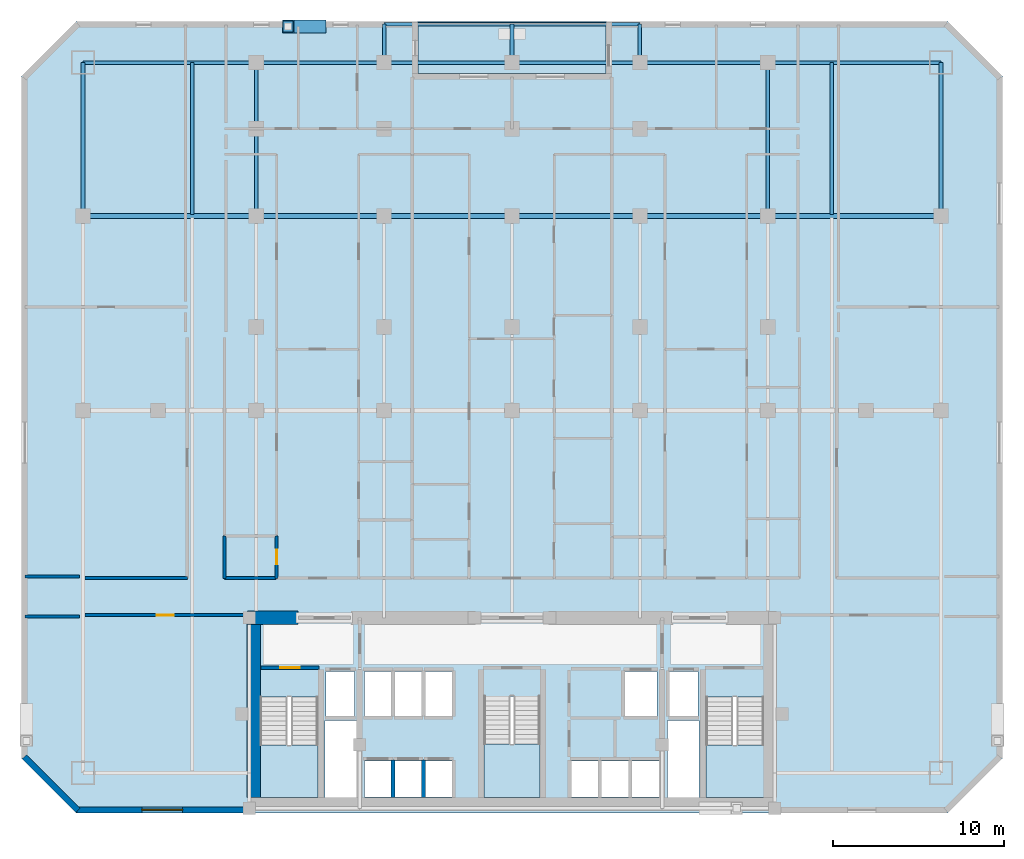
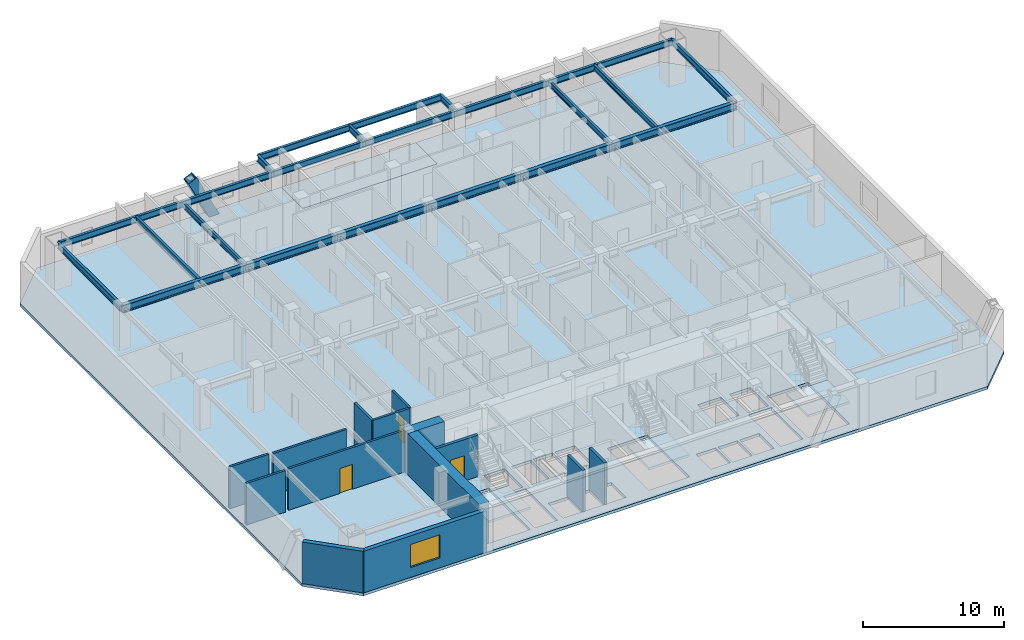
# One storey, part 2 of 9: 23 beams, 14 walls, 5 slabs, 3 doors, 1 member, 1 window, 4 openings, 3 elements without a shape of their own.
"""IFC4 building model written with IfcOpenShell, lengths in metres."""

from ifc_helpers import new_model, si_unit, direction, frame, frame_2d, origin, origin_2d, place, context, subcontext, project, spatial, polyline, rectangle, hollow_rectangle, i_section, outline, extrude, material, layer, layer_set, material_profile, profile_set, type_object, element, fill, aggregate, save


model = new_model("IFC4")

# Units and contexts
model_context = context("Model", 3, precision=1e-05, world=origin(), true_north=direction((0.0, 1.0)))
body_context = subcontext(model_context, "Body", "Model", "MODEL_VIEW")
ifc_project = project(units=[si_unit("LENGTHUNIT", "METRE"), si_unit("AREAUNIT", "SQUARE_METRE"), si_unit("VOLUMEUNIT", "CUBIC_METRE"), si_unit("PLANEANGLEUNIT", "RADIAN"), si_unit("MASSUNIT", "GRAM", prefix="KILO")], contexts=[model_context])

# Site, building, storey
site_placement = place(None, origin())
site = spatial("IfcSite", under=ifc_project, at=site_placement, CompositionType="ELEMENT")
building_placement = place(site_placement, origin())
building = spatial("IfcBuilding", under=site, at=building_placement, Name="Ventersveld Concourse Tower", CompositionType="ELEMENT")
storey_placement = place(building_placement, frame((0.0, 0.0, 52.89990234375)))
storey = spatial("IfcBuildingStorey", under=building, at=storey_placement, Name="L12", CompositionType="ELEMENT", Elevation=52.89990234375)

# Beams
ifc_material_1 = material(Name="Structural steel S355J2", Category="steel")
ifc_material_profile_1 = material_profile(ifc_material_1, i_section(OverallWidth=0.19140625, OverallDepth=0.4599609375, WebThickness=0.010009765625, FlangeThickness=0.01611328125, FilletRadius=0.01025390625, at=origin_2d()), Name="UB 457x191x82")
ifc_profile_set_1 = profile_set([ifc_material_profile_1], Name="Structural steel S355J2")
beam_type_1 = type_object("IfcBeamType", Name="BM-UB457H", PredefinedType="BEAM", material=ifc_profile_set_1)
beam_1_placement = place(storey_placement, frame((10.0, 35.094970703125, 3.3701171875), z_axis=(0.0, 1.0, 0.0), x_axis=(-1.0, 0.0, 0.0)))
element("IfcBeam", 1, at=beam_1_placement, inside=storey, type_object=beam_type_1, Name="L12 N-S Composite Floor Beam North X=10.00", PredefinedType="BEAM", context=body_context, shape_type="SweptSolid", body=[
    extrude(i_section(OverallWidth=0.19140625, OverallDepth=0.4599609375, WebThickness=0.010009765625, FlangeThickness=0.01611328125, FilletRadius=0.01025390625, at=origin_2d()), origin(), (0.0, 0.0, 1.0), 8.905029296875),
])
for number, where, z_axis, x_axis, name in (
    (2, (13.75, 35.0, 3.3701171875), (0.0, 1.0, 0.0), (-1.0, 0.0, 0.0), "L12 N-S Composite Floor Beam North X=13.75"),
    (3, (43.75, 35.0, 3.3701171875), (0.0, 1.0, 0.0), (-1.0, 0.0, 0.0), "L12 N-S Composite Floor Beam North X=43.75"),
):
    element("IfcBeam", number, at=place(storey_placement, frame(where, z_axis=z_axis, x_axis=x_axis)), inside=storey, type_object=beam_type_1, Name=name, PredefinedType="BEAM", context=body_context, shape_type="SweptSolid", body=[
        extrude(i_section(OverallWidth=0.19140625, OverallDepth=0.4599609375, WebThickness=0.010009765625, FlangeThickness=0.01611328125, FilletRadius=0.01025390625, at=origin_2d()), origin(), (0.0, 0.0, 1.0), 9.0),
    ])
beam_2_placement = place(storey_placement, frame((47.5, 35.094970703125, 3.3701171875), z_axis=(0.0, 1.0, 0.0), x_axis=(-1.0, 0.0, 0.0)))
element("IfcBeam", 4, at=beam_2_placement, inside=storey, type_object=beam_type_1, Name="L12 N-S Composite Floor Beam North X=47.50", PredefinedType="BEAM", context=body_context, shape_type="SweptSolid", body=[
    extrude(i_section(OverallWidth=0.19140625, OverallDepth=0.4599609375, WebThickness=0.010009765625, FlangeThickness=0.01611328125, FilletRadius=0.01025390625, at=origin_2d()), origin(), (0.0, 0.0, 1.0), 8.905029296875),
])
ifc_material_profile_2 = material_profile(ifc_material_1, i_section(OverallWidth=0.311279296875, OverallDepth=0.6357421875, WebThickness=0.018310546875, FlangeThickness=0.031494140625, FilletRadius=0.0166015625, at=origin_2d()), Name="UB 610x305x238")
ifc_profile_set_2 = profile_set([ifc_material_profile_2], Name="Structural steel S355J2")
beam_type_2 = type_object("IfcBeamType", Name="GRD-UB610H", PredefinedType="USERDEFINED", material=ifc_profile_set_2)
beam_3_placement = place(storey_placement, frame((3.60009765625, 35.0, 3.2822265625), z_axis=(1.0, 0.0, 0.0), x_axis=(0.0, 1.0, 0.0)))
element("IfcBeam", 5, at=beam_3_placement, inside=storey, type_object=beam_type_2, Name="L12 E-W Grid Girder Y=35.00 #1", ObjectType="GIRDER", PredefinedType="USERDEFINED", context=body_context, shape_type="SweptSolid", body=[
    extrude(i_section(OverallWidth=0.311279296875, OverallDepth=0.6357421875, WebThickness=0.018310546875, FlangeThickness=0.031494140625, FilletRadius=0.0166015625, at=origin_2d()), origin(), (0.0, 0.0, 1.0), 10.14990234375),
])
for number, where, z_axis, x_axis, name in (
    (6, (13.75, 35.0, 3.2822265625), (1.0, 0.0, 0.0), (0.0, 1.0, 0.0), "L12 E-W Grid Girder Y=35.00 #2"),
    (7, (21.25, 35.0, 3.2822265625), (1.0, 0.0, 0.0), (0.0, 1.0, 0.0), "L12 E-W Grid Girder Y=35.00 #3"),
    (8, (28.75, 35.0, 3.2822265625), (1.0, 0.0, 0.0), (0.0, 1.0, 0.0), "L12 E-W Grid Girder Y=35.00 #4"),
    (9, (36.25, 35.0, 3.2822265625), (1.0, 0.0, 0.0), (0.0, 1.0, 0.0), "L12 E-W Grid Girder Y=35.00 #5"),
):
    element("IfcBeam", number, at=place(storey_placement, frame(where, z_axis=z_axis, x_axis=x_axis)), inside=storey, type_object=beam_type_2, Name=name, ObjectType="GIRDER", PredefinedType="USERDEFINED", context=body_context, shape_type="SweptSolid", body=[
        extrude(i_section(OverallWidth=0.311279296875, OverallDepth=0.6357421875, WebThickness=0.018310546875, FlangeThickness=0.031494140625, FilletRadius=0.0166015625, at=origin_2d()), origin(), (0.0, 0.0, 1.0), 7.5),
    ])
beam_4_placement = place(storey_placement, frame((43.75, 35.0, 3.2822265625), z_axis=(1.0, 0.0, 0.0), x_axis=(0.0, 1.0, 0.0)))
element("IfcBeam", 10, at=beam_4_placement, inside=storey, type_object=beam_type_2, Name="L12 E-W Grid Girder Y=35.00 #6", ObjectType="GIRDER", PredefinedType="USERDEFINED", context=body_context, shape_type="SweptSolid", body=[
    extrude(i_section(OverallWidth=0.311279296875, OverallDepth=0.6357421875, WebThickness=0.018310546875, FlangeThickness=0.031494140625, FilletRadius=0.0166015625, at=origin_2d()), origin(), (0.0, 0.0, 1.0), 10.14990234375),
])

# Member
ifc_material_2 = material(Name="Structural steel S355ML", Category="steel")
ifc_material_profile_3 = material_profile(ifc_material_2, hollow_rectangle(XDim=0.75, YDim=0.75, WallThickness=0.044921875, at=origin_2d()), Name="BOX 750x750x45")
ifc_profile_set_3 = profile_set([ifc_material_profile_3], Name="Structural steel S355ML")
member_type = type_object("IfcMemberType", Name="MB-750x750", PredefinedType="BRACE", material=ifc_profile_set_3)
member_placement = place(storey_placement, frame((17.5, 46.1201171875, -0.25), z_axis=(-0.437839464193, 0.0, 0.899053170616), x_axis=(0.0, -1.0, 0.0)))
element("IfcMember", 11, at=member_placement, inside=storey, type_object=member_type, Name="L12 Exterior Mega-Brace N (Module M02)", PredefinedType="BRACE", context=body_context, shape_type="SweptSolid", body=[
    extrude(hollow_rectangle(XDim=0.75, YDim=0.75, WallThickness=0.044921875, at=origin_2d()), origin(), (0.0, 0.0, 1.0), 4.282470703125),
])

# Beams
ifc_material_profile_4 = material_profile(ifc_material_1, i_section(OverallWidth=0.2119140625, OverallDepth=0.54443359375, WebThickness=0.0126953125, FlangeThickness=0.021240234375, FilletRadius=0.0126953125, at=origin_2d()), Name="UB 533x210x122")
ifc_profile_set_4 = profile_set([ifc_material_profile_4], Name="Structural steel S355J2")
beam_type_3 = type_object("IfcBeamType", Name="SPD-UB533", PredefinedType="SPANDREL", material=ifc_profile_set_4)
for number, where, z_axis, x_axis, name in (
    (12, (3.60009765625, 35.0, 3.327880859375), (0.0, 1.0, 0.0), (-1.0, 0.0, 0.0), "L12 West Spandrel Beam N"),
    (13, (53.89990234375, 35.0, 3.327880859375), (0.0, 1.0, 0.0), (-1.0, 0.0, 0.0), "L12 East Spandrel Beam N"),
):
    element("IfcBeam", number, at=place(storey_placement, frame(where, z_axis=z_axis, x_axis=x_axis)), inside=storey, type_object=beam_type_3, Name=name, PredefinedType="SPANDREL", context=body_context, shape_type="SweptSolid", body=[
        extrude(i_section(OverallWidth=0.2119140625, OverallDepth=0.54443359375, WebThickness=0.0126953125, FlangeThickness=0.021240234375, FilletRadius=0.0126953125, at=origin_2d()), origin(), (0.0, 0.0, 1.0), 9.0),
    ])
for number, where, z_axis, x_axis, name in (
    (14, (21.25, 44.0, 3.327880859375), (0.0, 1.0, 0.0), (-1.0, 0.0, 0.0), "L12 Terrace Bracket W"),
    (15, (28.75, 44.0, 3.327880859375), (0.0, 1.0, 0.0), (-1.0, 0.0, 0.0), "L12 Terrace Bracket C"),
    (16, (36.25, 44.0, 3.327880859375), (0.0, 1.0, 0.0), (-1.0, 0.0, 0.0), "L12 Terrace Bracket E"),
):
    element("IfcBeam", number, at=place(storey_placement, frame(where, z_axis=z_axis, x_axis=x_axis)), inside=storey, type_object=beam_type_3, Name=name, PredefinedType="SPANDREL", context=body_context, shape_type="SweptSolid", body=[
        extrude(i_section(OverallWidth=0.2119140625, OverallDepth=0.54443359375, WebThickness=0.0126953125, FlangeThickness=0.021240234375, FilletRadius=0.0126953125, at=origin_2d()), origin(), (0.0, 0.0, 1.0), 2.25),
    ])
for number, where, z_axis, x_axis, name in (
    (17, (21.25, 46.25, 3.327880859375), (1.0, 0.0, 0.0), (0.0, 1.0, 0.0), "L12 Terrace Edge Spandrel W"),
    (18, (28.75, 46.25, 3.327880859375), (1.0, 0.0, 0.0), (0.0, 1.0, 0.0), "L12 Terrace Edge Spandrel E"),
):
    element("IfcBeam", number, at=place(storey_placement, frame(where, z_axis=z_axis, x_axis=x_axis)), inside=storey, type_object=beam_type_3, Name=name, PredefinedType="SPANDREL", context=body_context, shape_type="SweptSolid", body=[
        extrude(i_section(OverallWidth=0.2119140625, OverallDepth=0.54443359375, WebThickness=0.0126953125, FlangeThickness=0.021240234375, FilletRadius=0.0126953125, at=origin_2d()), origin(), (0.0, 0.0, 1.0), 7.5),
    ])
beam_5_placement = place(storey_placement, frame((3.60009765625, 44.0, 3.327880859375), z_axis=(1.0, 0.0, 0.0), x_axis=(0.0, 1.0, 0.0)))
element("IfcBeam", 19, at=beam_5_placement, inside=storey, type_object=beam_type_3, Name="L12 North Spandrel Girder Y=44.00 #1", PredefinedType="SPANDREL", context=body_context, shape_type="SweptSolid", body=[
    extrude(i_section(OverallWidth=0.2119140625, OverallDepth=0.54443359375, WebThickness=0.0126953125, FlangeThickness=0.021240234375, FilletRadius=0.0126953125, at=origin_2d()), origin(), (0.0, 0.0, 1.0), 10.14990234375),
])
for number, where, z_axis, x_axis, name in (
    (20, (13.75, 44.0, 3.327880859375), (1.0, 0.0, 0.0), (0.0, 1.0, 0.0), "L12 North Spandrel Girder Y=44.00 #2"),
    (21, (21.25, 44.0, 3.327880859375), (1.0, 0.0, 0.0), (0.0, 1.0, 0.0), "L12 North Spandrel Girder Y=44.00 #3"),
    (22, (28.75, 44.0, 3.327880859375), (1.0, 0.0, 0.0), (0.0, 1.0, 0.0), "L12 North Spandrel Girder Y=44.00 #4"),
    (23, (36.25, 44.0, 3.327880859375), (1.0, 0.0, 0.0), (0.0, 1.0, 0.0), "L12 North Spandrel Girder Y=44.00 #5"),
):
    element("IfcBeam", number, at=place(storey_placement, frame(where, z_axis=z_axis, x_axis=x_axis)), inside=storey, type_object=beam_type_3, Name=name, PredefinedType="SPANDREL", context=body_context, shape_type="SweptSolid", body=[
        extrude(i_section(OverallWidth=0.2119140625, OverallDepth=0.54443359375, WebThickness=0.0126953125, FlangeThickness=0.021240234375, FilletRadius=0.0126953125, at=origin_2d()), origin(), (0.0, 0.0, 1.0), 7.5),
    ])
beam_6_placement = place(storey_placement, frame((43.75, 44.0, 3.327880859375), z_axis=(1.0, 0.0, 0.0), x_axis=(0.0, 1.0, 0.0)))
element("IfcBeam", 24, at=beam_6_placement, inside=storey, type_object=beam_type_3, Name="L12 North Spandrel Girder Y=44.00 #6", PredefinedType="SPANDREL", context=body_context, shape_type="SweptSolid", body=[
    extrude(i_section(OverallWidth=0.2119140625, OverallDepth=0.54443359375, WebThickness=0.0126953125, FlangeThickness=0.021240234375, FilletRadius=0.0126953125, at=origin_2d()), origin(), (0.0, 0.0, 1.0), 10.14990234375),
])

# Slabs
ifc_material_3 = material(Name="Concrete C50/60", Category="concrete")
ifc_layer_1 = layer(ifc_material_3, 0.25)
ifc_layer_set_1 = layer_set([ifc_layer_1], Name="Concrete C50/60")
slab_type_1 = type_object("IfcSlabType", Name="SL-FLR-250", PredefinedType="FLOOR", material=ifc_layer_set_1)
slab_1_placement = place(storey_placement, frame((0.0, 0.0, -0.25)))
element("IfcSlab", 25, at=slab_1_placement, inside=storey, type_object=slab_type_1, Name="L12 Composite Floor Slab", PredefinedType="FLOOR", context=body_context, shape_type="SweptSolid", body=[
    extrude(outline(polyline([(3.199951171875, 0.0), (54.300048828125, 0.0), (57.5, 3.199951171875), (57.5, 43.199951171875), (54.300048828125, 46.39990234375), (34.25, 46.39990234375), (34.25, 43.35009765625), (23.25, 43.35009765625), (23.25, 46.39990234375), (3.199951171875, 46.39990234375), (0.0, 43.199951171875), (0.0, 3.199951171875), (3.199951171875, 0.0)]), holes=[polyline([(13.97998046875, 6.794921875), (13.97998046875, 0.89990234375), (17.3798828125, 0.89990234375), (17.3798828125, 6.794921875), (13.97998046875, 6.794921875)]), polyline([(40.1201171875, 6.794921875), (40.1201171875, 0.89990234375), (43.52001953125, 0.89990234375), (43.52001953125, 6.794921875), (40.1201171875, 6.794921875)]), polyline([(27.10009765625, 6.844970703125), (27.10009765625, 0.89990234375), (30.39990234375, 0.89990234375), (30.39990234375, 6.844970703125), (27.10009765625, 6.844970703125)]), polyline([(17.85009765625, 5.699951171875), (19.530029296875, 5.699951171875), (19.530029296875, 8.300048828125), (17.85009765625, 8.300048828125), (17.85009765625, 5.699951171875)]), polyline([(37.969970703125, 5.699951171875), (39.64990234375, 5.699951171875), (39.64990234375, 8.300048828125), (37.969970703125, 8.300048828125), (37.969970703125, 5.699951171875)]), polyline([(35.35009765625, 5.699951171875), (37.25, 5.699951171875), (37.25, 8.300048828125), (35.35009765625, 8.300048828125), (35.35009765625, 5.699951171875)]), polyline([(20.090087890625, 0.949951171875), (21.68994140625, 0.949951171875), (21.68994140625, 3.050048828125), (20.090087890625, 3.050048828125), (20.090087890625, 0.949951171875)]), polyline([(21.8701171875, 0.949951171875), (23.469970703125, 0.949951171875), (23.469970703125, 3.050048828125), (21.8701171875, 3.050048828125), (21.8701171875, 0.949951171875)]), polyline([(23.64990234375, 0.949951171875), (25.25, 0.949951171875), (25.25, 3.050048828125), (23.64990234375, 3.050048828125), (23.64990234375, 0.949951171875)]), polyline([(32.2099609375, 0.949951171875), (33.81005859375, 0.949951171875), (33.81005859375, 3.050048828125), (32.2099609375, 3.050048828125), (32.2099609375, 0.949951171875)]), polyline([(33.989990234375, 0.949951171875), (35.590087890625, 0.949951171875), (35.590087890625, 3.050048828125), (33.989990234375, 3.050048828125), (33.989990234375, 0.949951171875)]), polyline([(35.77001953125, 0.949951171875), (37.3701171875, 0.949951171875), (37.3701171875, 3.050048828125), (35.77001953125, 3.050048828125), (35.77001953125, 0.949951171875)]), polyline([(20.090087890625, 5.699951171875), (21.68994140625, 5.699951171875), (21.68994140625, 8.300048828125), (20.090087890625, 8.300048828125), (20.090087890625, 5.699951171875)]), polyline([(21.8701171875, 5.699951171875), (23.469970703125, 5.699951171875), (23.469970703125, 8.300048828125), (21.8701171875, 8.300048828125), (21.8701171875, 5.699951171875)]), polyline([(23.64990234375, 5.699951171875), (25.25, 5.699951171875), (25.25, 8.300048828125), (23.64990234375, 8.300048828125), (23.64990234375, 5.699951171875)]), polyline([(17.780029296875, 0.919921875), (19.6201171875, 0.919921875), (19.6201171875, 5.419921875), (17.780029296875, 5.419921875), (17.780029296875, 0.919921875)]), polyline([(37.8798828125, 0.919921875), (39.719970703125, 0.919921875), (39.719970703125, 5.419921875), (37.8798828125, 5.419921875), (37.8798828125, 0.919921875)])]), origin(), (0.0, 0.0, 1.0), 0.25),
])
slab_2_placement = place(storey_placement, frame((0.0, 0.0, -0.25)))
element("IfcSlab", 26, at=slab_2_placement, inside=storey, type_object=slab_type_1, Name="L12 Outdoor Terrace Slab NOTCH-N", PredefinedType="FLOOR", context=body_context, shape_type="SweptSolid", body=[
    extrude(outline(polyline([(23.25, 43.35009765625), (34.25, 43.35009765625), (34.25, 46.39990234375), (23.25, 46.39990234375), (23.25, 43.35009765625)])), origin(), (0.0, 0.0, 1.0), 0.25),
])

# Stair, slab
stair_type_1 = type_object("IfcStairType", Name="ST-DOG-160", PredefinedType="HALF_TURN_STAIR", material=ifc_material_3)
stair_1_placement = place(storey_placement, origin())
stair_1 = element("IfcStair", 27, at=stair_1_placement, inside=storey, type_object=stair_type_1, Name="L12 Protected Tower Escape Stair ST-01", PredefinedType="HALF_TURN_STAIR")
ifc_layer_2 = layer(ifc_material_3, 0.199951171875)
ifc_layer_set_2 = layer_set([ifc_layer_2], Name="Concrete C50/60")
slab_type_2 = type_object("IfcSlabType", Name="SL-LND-200", PredefinedType="LANDING", material=ifc_layer_set_2)
slab_3_placement = place(storey_placement, frame((0.0, 0.0, 1.72509765625)))
slab_3 = element("IfcSlab", 28, at=slab_3_placement, type_object=slab_type_2, Name="ST-01 landing 1", PredefinedType="LANDING", context=body_context, shape_type="SweptSolid", body=[
    extrude(outline(polyline([(13.97998046875, 4.0), (13.97998046875, 0.89990234375), (17.3798828125, 0.89990234375), (17.3798828125, 4.0), (13.97998046875, 4.0)])), origin(), (0.0, 0.0, 1.0), 0.199951171875),
])
aggregate(stair_1, [slab_3])

stair_2_placement = place(storey_placement, origin())
stair_2 = element("IfcStair", 29, at=stair_2_placement, inside=storey, type_object=stair_type_1, Name="L12 Protected Tower Escape Stair ST-02", PredefinedType="HALF_TURN_STAIR")
slab_4_placement = place(storey_placement, frame((0.0, 0.0, 1.72509765625)))
slab_4 = element("IfcSlab", 30, at=slab_4_placement, type_object=slab_type_2, Name="ST-02 landing 1", PredefinedType="LANDING", context=body_context, shape_type="SweptSolid", body=[
    extrude(outline(polyline([(40.1201171875, 4.0), (40.1201171875, 0.89990234375), (43.52001953125, 0.89990234375), (43.52001953125, 4.0), (40.1201171875, 4.0)])), origin(), (0.0, 0.0, 1.0), 0.199951171875),
])
aggregate(stair_2, [slab_4])

stair_type_2 = type_object("IfcStairType", Name="ST-DOG-155", PredefinedType="HALF_TURN_STAIR", material=ifc_material_3)
stair_3_placement = place(storey_placement, origin())
stair_3 = element("IfcStair", 31, at=stair_3_placement, inside=storey, type_object=stair_type_2, Name="L12 Protected Central Core Escape Stair ST-03", PredefinedType="HALF_TURN_STAIR")
slab_5_placement = place(storey_placement, frame((0.0, 0.0, 1.72509765625)))
slab_5 = element("IfcSlab", 32, at=slab_5_placement, type_object=slab_type_2, Name="ST-03 landing 1", PredefinedType="LANDING", context=body_context, shape_type="SweptSolid", body=[
    extrude(outline(polyline([(27.10009765625, 4.050048828125), (27.10009765625, 0.89990234375), (30.39990234375, 0.89990234375), (30.39990234375, 4.050048828125), (27.10009765625, 4.050048828125)])), origin(), (0.0, 0.0, 1.0), 0.199951171875),
])
aggregate(stair_3, [slab_5])

# Walls
ifc_material_4 = material(Name="Concrete C60/75", Category="concrete")
ifc_layer_3 = layer(ifc_material_4, 0.800048828125)
ifc_layer_set_3 = layer_set([ifc_layer_3], Name="Concrete C60/75")
wall_type_1 = type_object("IfcWallType", Name="WL-CORE-800", PredefinedType="SHEAR", material=ifc_layer_set_3)
wall_1_placement = place(storey_placement, frame((13.60009765625, 0.919921875, 0.0), z_axis=(0.0, 0.0, 1.0), x_axis=(0.0, 1.0, 0.0)))
element("IfcWall", 33, at=wall_1_placement, inside=storey, type_object=wall_type_1, Name="L12 Rear Core West Shear Wall", PredefinedType="SHEAR", context=body_context, shape_type="SweptSolid", body=[
    extrude(rectangle(XDim=10.530029296875, YDim=0.800048828125, at=frame_2d((5.26513671875, 0.0))), origin(), (0.0, 0.0, 1.0), 3.60009765625),
])
wall_2_placement = place(storey_placement, frame((13.25, 11.449951171875, 0.0), z_axis=(0.0, 0.0, 1.0), x_axis=(1.0, 0.0, 0.0)))
element("IfcWall", 34, at=wall_2_placement, inside=storey, type_object=wall_type_1, Name="L12 Rear Core North Shear Wall NW", PredefinedType="SHEAR", context=body_context, shape_type="SweptSolid", body=[
    extrude(rectangle(XDim=2.949951171875, YDim=0.800048828125, at=frame_2d((1.47509765625, 0.0))), origin(), (0.0, 0.0, 1.0), 3.60009765625),
])

# Wall, opening, door
ifc_material_5 = material(Name="Fire-rated autoclaved aerated masonry blockwork", Category="masonry")
ifc_layer_4 = layer(ifc_material_5, 0.179931640625)
ifc_layer_set_4 = layer_set([ifc_layer_4], Name="Fire-rated autoclaved aerated masonry blockwork")
wall_type_2 = type_object("IfcWallType", Name="WL-CORR-180", PredefinedType="PARTITIONING", material=ifc_layer_set_4)
wall_3_placement = place(storey_placement, frame((3.705078125, 11.60009765625, 0.0), z_axis=(0.0, 0.0, 1.0), x_axis=(1.0, 0.0, 0.0)))
wall_3 = element("IfcWall", 35, at=wall_3_placement, inside=storey, type_object=wall_type_2, Name="L12 Interior Partition SP-L12-SW-GAL-SP-L12-COR", PredefinedType="PARTITIONING", context=body_context, shape_type="SweptSolid", body=[
    extrude(rectangle(XDim=9.43994140625, YDim=0.179931640625, at=frame_2d((4.719970703125, 0.0))), origin(), (0.0, 0.0, 1.0), 3.60009765625),
])
opening_1_placement = place(wall_3_placement, frame((4.219970703125, 0.0, 0.0)))
opening_1 = element("IfcOpeningElement", 36, at=opening_1_placement, cuts=wall_3, Name="Opening FD3", PredefinedType="OPENING", context=body_context, shape_type="SweptSolid", body=[
    extrude(rectangle(XDim=1.0, YDim=2.14990234375, at=frame_2d((0.5, 1.074951171875))), frame((0.0, 0.10009765625, 0.0), z_axis=(0.0, -1.0, 0.0), x_axis=(1.0, 0.0, 0.0)), (0.0, 0.0, 1.0), 0.199951171875),
])
ifc_material_6 = material(Name="Solid-core hardwood veneer timber", Category="wood")
door_type_1 = type_object("IfcDoorType", Name="DR-FLAT-100", OperationType="NOTDEFINED", PredefinedType="DOOR", material=ifc_material_6)
door_1_placement = place(opening_1_placement, origin())
door_1 = element("IfcDoor", 37, at=door_1_placement, inside=storey, type_object=door_type_1, Name="L12 Interior Door SP-L12-SW-GAL to SP-L12-COR (D-L12-0487)", OperationType="SINGLE_SWING_LEFT", OverallHeight=2.14990234375, OverallWidth=1.0, PredefinedType="DOOR", context=body_context, shape_type="SweptSolid", body=[
    extrude(rectangle(XDim=1.0, YDim=2.14990234375, at=frame_2d((0.5, 1.074951171875))), frame((0.0, 0.02490234375, 0.0), z_axis=(0.0, -1.0, 0.0), x_axis=(1.0, 0.0, 0.0)), (0.0, 0.0, 1.0), 0.050048828125),
])
fill(opening_1, door_1)

# Walls
wall_4_placement = place(storey_placement, frame((3.705078125, 13.77001953125, 0.0), z_axis=(0.0, 0.0, 1.0), x_axis=(1.0, 0.0, 0.0)))
element("IfcWall", 38, at=wall_4_placement, inside=storey, type_object=wall_type_2, Name="L12 Interior Partition SP-L12-COR-SP-L12-NWLNG1", PredefinedType="PARTITIONING", context=body_context, shape_type="SweptSolid", body=[
    extrude(rectangle(XDim=6.010009765625, YDim=0.179931640625, at=frame_2d((3.0048828125, 0.0))), origin(), (0.0, 0.0, 1.0), 3.60009765625),
])
wall_5_placement = place(storey_placement, frame((11.885009765625, 13.77001953125, 0.0), z_axis=(0.0, 0.0, 1.0), x_axis=(1.0, 0.0, 0.0)))
element("IfcWall", 39, at=wall_5_placement, inside=storey, type_object=wall_type_2, Name="L12 Interior Partition SP-L12-COR-SP-L12-12CW-BATH", PredefinedType="PARTITIONING", context=body_context, shape_type="SweptSolid", body=[
    extrude(rectangle(XDim=3.03173828125, YDim=0.179931640625, at=frame_2d((1.515869140625, 0.0))), origin(), (0.0, 0.0, 1.0), 3.60009765625),
])
wall_6_placement = place(storey_placement, frame((11.889892578125, 13.764892578125, 0.0), z_axis=(0.0, 0.0, 1.0), x_axis=(0.0, 1.0, 0.0)))
element("IfcWall", 40, at=wall_6_placement, inside=storey, type_object=wall_type_2, Name="L12 Interior Partition SP-L12-COR-SP-L12-12CW-BATH", PredefinedType="PARTITIONING", context=body_context, shape_type="SweptSolid", body=[
    extrude(rectangle(XDim=2.48046875, YDim=0.179931640625, at=frame_2d((1.240234375, 0.0))), origin(), (0.0, 0.0, 1.0), 3.60009765625),
])
wall_7_placement = place(storey_placement, frame((0.2099609375, 11.52001953125, 0.0), z_axis=(0.0, 0.0, 1.0), x_axis=(1.0, 0.0, 0.0)))
element("IfcWall", 41, at=wall_7_placement, inside=storey, type_object=wall_type_2, Name="L12 Room Enclosure Wall SP-L12-SW-GAL", PredefinedType="PARTITIONING", context=body_context, shape_type="SweptSolid", body=[
    extrude(rectangle(XDim=3.177734375, YDim=0.179931640625, at=frame_2d((1.5888671875, 0.0))), origin(), (0.0, 0.0, 1.0), 3.60009765625),
])
wall_8_placement = place(storey_placement, frame((3.39013671875, 13.860107421875, 0.0), z_axis=(0.0, 0.0, 1.0), x_axis=(-1.0, 0.0, 0.0)))
element("IfcWall", 42, at=wall_8_placement, inside=storey, type_object=wall_type_2, Name="L12 Room Enclosure Wall SP-L12-NWLNG1", PredefinedType="PARTITIONING", context=body_context, shape_type="SweptSolid", body=[
    extrude(rectangle(XDim=3.18017578125, YDim=0.179931640625, at=frame_2d((1.590087890625, 0.0))), origin(), (0.0, 0.0, 1.0), 3.60009765625),
])
ifc_layer_5 = layer(ifc_material_5, 0.219970703125)
ifc_layer_set_5 = layer_set([ifc_layer_5], Name="Fire-rated autoclaved aerated masonry blockwork")
wall_type_3 = type_object("IfcWallType", Name="WL-HOIST-220", PredefinedType="SOLIDWALL", material=ifc_layer_set_5)
for number, where, z_axis, x_axis, name in (
    (43, (21.780029296875, 0.89990234375, 0.0), (0.0, 0.0, 1.0), (0.0, 1.0, 0.0), "L12 Lift Hoistway Side Wall PL-01E"),
    (44, (23.56005859375, 0.89990234375, 0.0), (0.0, 0.0, 1.0), (0.0, 1.0, 0.0), "L12 Lift Hoistway Side Wall PL-02E"),
):
    element("IfcWall", number, at=place(storey_placement, frame(where, z_axis=z_axis, x_axis=x_axis)), inside=storey, type_object=wall_type_3, Name=name, PredefinedType="SOLIDWALL", context=body_context, shape_type="SweptSolid", body=[
        extrude(rectangle(XDim=2.2001953125, YDim=0.219970703125, at=frame_2d((1.10009765625, 0.0))), origin(), (0.0, 0.0, 1.0), 3.60009765625),
    ])

# Wall, opening, door
wall_9_placement = place(storey_placement, frame((14.0400390625, 8.52001953125, 0.0), z_axis=(0.0, 0.0, 1.0), x_axis=(1.0, 0.0, 0.0)))
wall_9 = element("IfcWall", 45, at=wall_9_placement, inside=storey, type_object=wall_type_3, Name="L12 Escape Stair ST01 Fire Wall", PredefinedType="SOLIDWALL", context=body_context, shape_type="SweptSolid", body=[
    extrude(rectangle(XDim=3.39990234375, YDim=0.219970703125, at=frame_2d((1.699951171875, 0.0))), origin(), (0.0, 0.0, 1.0), 3.60009765625),
])
opening_2_placement = place(wall_9_placement, frame((1.125, 0.0, 0.0)))
opening_2 = element("IfcOpeningElement", 46, at=opening_2_placement, cuts=wall_9, Name="Opening FD1", PredefinedType="OPENING", context=body_context, shape_type="SweptSolid", body=[
    extrude(rectangle(XDim=1.14990234375, YDim=2.199951171875, at=frame_2d((0.574951171875, 1.10009765625))), frame((0.0, 0.1201171875, 0.0), z_axis=(0.0, -1.0, 0.0), x_axis=(1.0, 0.0, 0.0)), (0.0, 0.0, 1.0), 0.239990234375),
])
ifc_material_7 = material(Name="Galvanised painted steel", Category="steel")
door_type_2 = type_object("IfcDoorType", Name="DR-STAIR-115", OperationType="NOTDEFINED", PredefinedType="DOOR", material=ifc_material_7)
door_2_placement = place(opening_2_placement, origin())
door_2 = element("IfcDoor", 47, at=door_2_placement, inside=storey, type_object=door_type_2, Name="L12 Escape Stair Door ST01 (SD-L12-0477)", OperationType="SINGLE_SWING_LEFT", OverallHeight=2.199951171875, OverallWidth=1.14990234375, PredefinedType="DOOR", context=body_context, shape_type="SweptSolid", body=[
    extrude(rectangle(XDim=1.14990234375, YDim=2.199951171875, at=frame_2d((0.574951171875, 1.10009765625))), frame((0.0, 0.02490234375, 0.0), z_axis=(0.0, -1.0, 0.0), x_axis=(1.0, 0.0, 0.0)), (0.0, 0.0, 1.0), 0.050048828125),
])
fill(opening_2, door_2)

# Wall, opening, window
ifc_material_8 = material(Name="Precast concrete C45/55", Category="concrete")
ifc_layer_6 = layer(ifc_material_8, 0.35009765625)
ifc_layer_set_6 = layer_set([ifc_layer_6], Name="Precast concrete C45/55")
wall_type_4 = type_object("IfcWallType", Name="WL-PREC-350", PredefinedType="SOLIDWALL", material=ifc_layer_set_6)
wall_10_placement = place(storey_placement, frame((3.239990234375, 0.179931640625, 0.0), z_axis=(0.0, 0.0, 1.0), x_axis=(1.0, 0.0, 0.0)))
wall_10 = element("IfcWall", 48, at=wall_10_placement, inside=storey, type_object=wall_type_4, Name="L12 South-West Flank Precast Wall", PredefinedType="SOLIDWALL", context=body_context, shape_type="SweptSolid", body=[
    extrude(rectangle(XDim=10.010009765625, YDim=0.35009765625, at=frame_2d((5.0048828125, 0.0))), origin(), (0.0, 0.0, 1.0), 3.60009765625),
])
opening_3_placement = place(wall_10_placement, frame((3.804931640625, 0.0, 0.85009765625)))
opening_3 = element("IfcOpeningElement", 49, at=opening_3_placement, cuts=wall_10, Name="Opening W5", PredefinedType="OPENING", context=body_context, shape_type="SweptSolid", body=[
    extrude(rectangle(XDim=2.39990234375, YDim=2.0, at=frame_2d((1.199951171875, 1.0))), frame((0.0, 0.18505859375, 0.0), z_axis=(0.0, -1.0, 0.0), x_axis=(1.0, 0.0, 0.0)), (0.0, 0.0, 1.0), 0.3701171875),
])
ifc_material_9 = material(Name="Tempered acoustic Low-E IGU", Category="glass")
window_type = type_object("IfcWindowType", Name="WIN-240x210", PartitioningType="SINGLE_PANEL", PredefinedType="WINDOW", material=ifc_material_9)
window_placement = place(opening_3_placement, origin())
window = element("IfcWindow", 50, at=window_placement, inside=storey, type_object=window_type, Name="L12 Punched Low-E Window W-0078", OverallHeight=2.0, OverallWidth=2.39990234375, PartitioningType="SINGLE_PANEL", PredefinedType="WINDOW", context=body_context, shape_type="SweptSolid", body=[
    extrude(rectangle(XDim=2.39990234375, YDim=2.0, at=frame_2d((1.199951171875, 1.0))), frame((0.0, 0.030029296875, 0.0), z_axis=(0.0, -1.0, 0.0), x_axis=(1.0, 0.0, 0.0)), (0.0, 0.0, 1.0), 0.06005859375),
])
fill(opening_3, window)

# Wall
wall_11_placement = place(storey_placement, frame((0.152099609375, 3.29541015625, 0.0), z_axis=(0.0, 0.0, 1.0), x_axis=(0.707106781187, -0.707106781187, 0.0)))
element("IfcWall", 51, at=wall_11_placement, inside=storey, type_object=wall_type_4, Name="L12 Highveld Precast Facade Wall E12", PredefinedType="SOLIDWALL", context=body_context, shape_type="SweptSolid", body=[
    extrude(rectangle(XDim=4.4453125, YDim=0.35009765625, at=frame_2d((2.22265625, 0.0))), origin(), (0.0, 0.0, 1.0), 3.60009765625),
])

# Wall, opening, door
ifc_material_10 = material(Name="Autoclaved aerated masonry blockwork", Category="masonry")
ifc_layer_7 = layer(ifc_material_10, 0.1650390625)
ifc_layer_set_7 = layer_set([ifc_layer_7], Name="Autoclaved aerated masonry blockwork")
wall_type_5 = type_object("IfcWallType", Name="WL-WET-165", PredefinedType="PLUMBINGWALL", material=ifc_layer_set_7)
wall_12_placement = place(storey_placement, frame((14.95166015625, 13.764892578125, 0.0), z_axis=(0.0, 0.0, 1.0), x_axis=(0.0, 1.0, 0.0)))
wall_12 = element("IfcWall", 52, at=wall_12_placement, inside=storey, type_object=wall_type_5, Name="L12 Interior Partition SP-L12-12CW-FOY-SP-L12-12CW-BATH", PredefinedType="PLUMBINGWALL", context=body_context, shape_type="SweptSolid", body=[
    extrude(rectangle(XDim=2.48046875, YDim=0.1650390625, at=frame_2d((1.240234375, 0.0))), origin(), (0.0, 0.0, 1.0), 3.60009765625),
])
opening_4_placement = place(wall_12_placement, frame((0.815185546875, 0.0, 0.0)))
opening_4 = element("IfcOpeningElement", 53, at=opening_4_placement, cuts=wall_12, Name="Opening ID2", PredefinedType="OPENING", context=body_context, shape_type="SweptSolid", body=[
    extrude(rectangle(XDim=0.85009765625, YDim=2.10009765625, at=frame_2d((0.425048828125, 1.050048828125))), frame((0.0, 0.092529296875, 0.0), z_axis=(0.0, -1.0, 0.0), x_axis=(1.0, 0.0, 0.0)), (0.0, 0.0, 1.0), 0.18505859375),
])
door_type_3 = type_object("IfcDoorType", Name="DR-BATH-085", OperationType="NOTDEFINED", PredefinedType="DOOR", material=ifc_material_6)
door_3_placement = place(opening_4_placement, origin())
door_3 = element("IfcDoor", 54, at=door_3_placement, inside=storey, type_object=door_type_3, Name="L12 Interior Door SP-L12-12CW-FOY to SP-L12-12CW-BATH (D-L12-0497)", OperationType="SINGLE_SWING_LEFT", OverallHeight=2.10009765625, OverallWidth=0.85009765625, PredefinedType="DOOR", context=body_context, shape_type="SweptSolid", body=[
    extrude(rectangle(XDim=0.85009765625, YDim=2.10009765625, at=frame_2d((0.425048828125, 1.050048828125))), frame((0.0, 0.02490234375, 0.0), z_axis=(0.0, -1.0, 0.0), x_axis=(1.0, 0.0, 0.0)), (0.0, 0.0, 1.0), 0.050048828125),
])
fill(opening_4, door_3)

save(model, "model.ifc")
